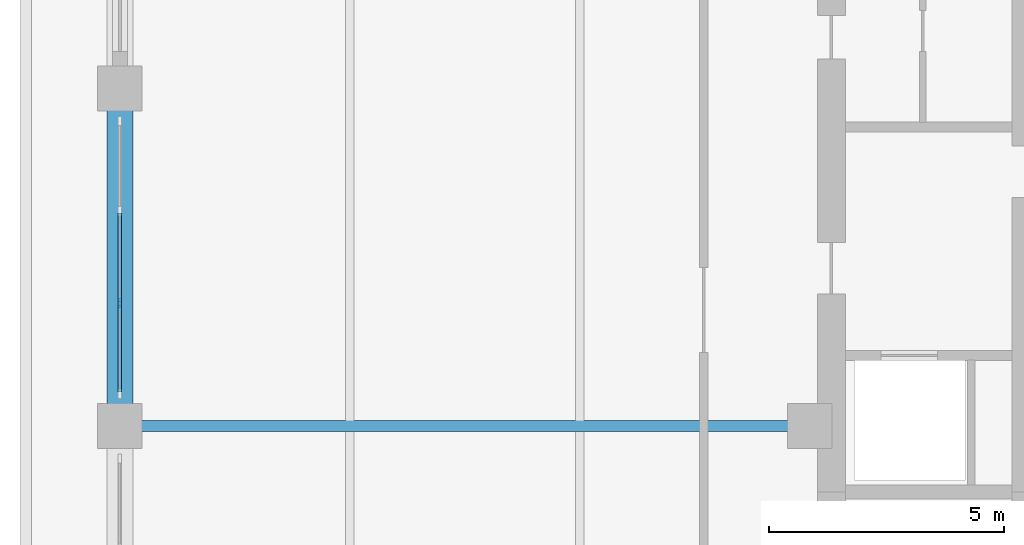
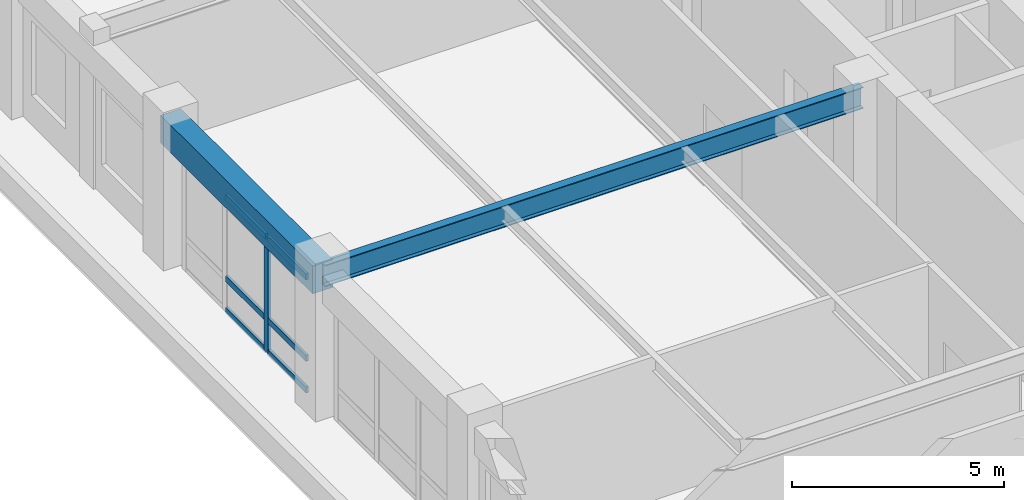
# One storey, part 3 of 16: 7 members, 2 beams, 1 element without a shape of its own.
"""IFC4 building model written with IfcOpenShell, lengths in metres."""

from ifc_helpers import new_model, si_unit, direction, frame, origin, origin_2d, place, context, subcontext, project, spatial, rectangle, i_section, extrude, material, layer, layer_set, material_profile, profile_set, type_object, element, aggregate, save


model = new_model("IFC4")

# Units and contexts
model_context = context("Model", 3, precision=1e-05, world=origin(), true_north=direction((0.0, 1.0)))
body_context = subcontext(model_context, "Body", "Model", "MODEL_VIEW")
ifc_project = project(units=[si_unit("LENGTHUNIT", "METRE"), si_unit("AREAUNIT", "SQUARE_METRE"), si_unit("VOLUMEUNIT", "CUBIC_METRE"), si_unit("PLANEANGLEUNIT", "RADIAN"), si_unit("MASSUNIT", "GRAM", prefix="KILO")], contexts=[model_context])

# Site, building, storey
site_placement = place(None, origin())
site = spatial("IfcSite", under=ifc_project, at=site_placement, CompositionType="ELEMENT")
building_placement = place(site_placement, origin())
building = spatial("IfcBuilding", under=site, at=building_placement, Name="Nhamokura Convention Tower", CompositionType="ELEMENT")
storey_placement = place(building_placement, frame((0.0, 0.0, 106.050048828125)))
storey = spatial("IfcBuildingStorey", under=building, at=storey_placement, Name="L25", CompositionType="ELEMENT", Elevation=106.050048828125)

# Curtain wall, members
ifc_material_1 = material(Name="Anodised bronze aluminium AA6063-T6", Category="aluminium")
ifc_layer = layer(ifc_material_1, 0.18994140625)
ifc_layer_set = layer_set([ifc_layer], Name="CWSystem_SkyLobby")
curtain_wall_type = type_object("IfcCurtainWallType", Name="CWSystem_SkyLobby", PredefinedType="NOTDEFINED", material=ifc_layer_set)
curtain_wall_placement = place(storey_placement, origin())
curtain_wall = element("IfcCurtainWall", 1, at=curtain_wall_placement, inside=storey, type_object=curtain_wall_type, Name="L25 Curtain Wall ENV-L25-CW-W3", PredefinedType="NOTDEFINED")
ifc_material_2 = material(Name="Anodised bronze aluminium AA6063-T6", Category="aluminium")
ifc_material_profile_1 = material_profile(ifc_material_2, rectangle(XDim=0.074951171875, YDim=0.199951171875, at=origin_2d()))
ifc_profile_set_1 = profile_set([ifc_material_profile_1], Name="Anodised bronze aluminium AA6063-T6")
member_type_1 = type_object("IfcMemberType", Name="CWMullion_2", PredefinedType="MULLION", material=ifc_profile_set_1)
member_1_placement = place(storey_placement, frame((6.0, 34.60546875, 0.0), z_axis=(0.0, 0.0, 1.0), x_axis=(-1.0, 0.0, 0.0)))
member_1 = element("IfcMember", 2, at=member_1_placement, type_object=member_type_1, Name="CW-06 mullion 2", PredefinedType="MULLION", context=body_context, shape_type="SweptSolid", body=[
    extrude(rectangle(XDim=0.074951171875, YDim=0.199951171875, at=origin_2d()), origin(), (0.0, 0.0, 1.0), 3.329833984375),
])
ifc_material_3 = material(Name="Anodised bronze aluminium AA6063-T6", Category="aluminium")
ifc_material_profile_2 = material_profile(ifc_material_3, rectangle(XDim=0.074951171875, YDim=0.169921875, at=origin_2d()))
ifc_profile_set_2 = profile_set([ifc_material_profile_2], Name="Anodised bronze aluminium AA6063-T6")
member_type_2 = type_object("IfcMemberType", Name="CWTransom_2", PredefinedType="USERDEFINED", material=ifc_profile_set_2)
member_2_placement = place(storey_placement, frame((6.0, 32.72509765625, 0.037353515625), z_axis=(0.0, 1.0, 0.0), x_axis=(-1.0, 0.0, 0.0)))
member_2 = element("IfcMember", 3, at=member_2_placement, type_object=member_type_2, Name="CW-06 transom 1.1", ObjectType="TRANSOM", PredefinedType="USERDEFINED", context=body_context, shape_type="SweptSolid", body=[
    extrude(rectangle(XDim=0.074951171875, YDim=0.169921875, at=origin_2d()), origin(), (0.0, 0.0, 1.0), 1.843017578125),
])
member_3_placement = place(storey_placement, frame((6.0, 32.72509765625, 0.949951171875), z_axis=(0.0, 1.0, 0.0), x_axis=(-1.0, 0.0, 0.0)))
member_3 = element("IfcMember", 4, at=member_3_placement, type_object=member_type_2, Name="CW-06 transom 1.2", ObjectType="TRANSOM", PredefinedType="USERDEFINED", context=body_context, shape_type="SweptSolid", body=[
    extrude(rectangle(XDim=0.074951171875, YDim=0.169921875, at=origin_2d()), origin(), (0.0, 0.0, 1.0), 1.843017578125),
])
member_4_placement = place(storey_placement, frame((6.0, 32.72509765625, 3.29248046875), z_axis=(0.0, 1.0, 0.0), x_axis=(-1.0, 0.0, 0.0)))
member_4 = element("IfcMember", 5, at=member_4_placement, type_object=member_type_2, Name="CW-06 transom 1.3", ObjectType="TRANSOM", PredefinedType="USERDEFINED", context=body_context, shape_type="SweptSolid", body=[
    extrude(rectangle(XDim=0.074951171875, YDim=0.169921875, at=origin_2d()), origin(), (0.0, 0.0, 1.0), 1.843017578125),
])
member_5_placement = place(storey_placement, frame((6.0, 34.64306640625, 0.037353515625), z_axis=(0.0, 1.0, 0.0), x_axis=(-1.0, 0.0, 0.0)))
member_5 = element("IfcMember", 6, at=member_5_placement, type_object=member_type_2, Name="CW-06 transom 2.1", ObjectType="TRANSOM", PredefinedType="USERDEFINED", context=body_context, shape_type="SweptSolid", body=[
    extrude(rectangle(XDim=0.074951171875, YDim=0.169921875, at=origin_2d()), origin(), (0.0, 0.0, 1.0), 1.880615234375),
])
member_6_placement = place(storey_placement, frame((6.0, 34.64306640625, 0.949951171875), z_axis=(0.0, 1.0, 0.0), x_axis=(-1.0, 0.0, 0.0)))
member_6 = element("IfcMember", 7, at=member_6_placement, type_object=member_type_2, Name="CW-06 transom 2.2", ObjectType="TRANSOM", PredefinedType="USERDEFINED", context=body_context, shape_type="SweptSolid", body=[
    extrude(rectangle(XDim=0.074951171875, YDim=0.169921875, at=origin_2d()), origin(), (0.0, 0.0, 1.0), 1.880615234375),
])
member_7_placement = place(storey_placement, frame((6.0, 34.64306640625, 3.29248046875), z_axis=(0.0, 1.0, 0.0), x_axis=(-1.0, 0.0, 0.0)))
member_7 = element("IfcMember", 8, at=member_7_placement, type_object=member_type_2, Name="CW-06 transom 2.3", ObjectType="TRANSOM", PredefinedType="USERDEFINED", context=body_context, shape_type="SweptSolid", body=[
    extrude(rectangle(XDim=0.074951171875, YDim=0.169921875, at=origin_2d()), origin(), (0.0, 0.0, 1.0), 1.880615234375),
])
aggregate(curtain_wall, [member_1, member_2, member_3, member_4, member_5, member_6, member_7])

# Beams
ifc_material_4 = material(Name="Steel ASTM A992 Gr 50", Category="steel")
ifc_material_profile_3 = material_profile(ifc_material_4, i_section(OverallWidth=0.22998046875, OverallDepth=0.616943359375, WebThickness=0.01318359375, FlangeThickness=0.022216796875, at=origin_2d()))
ifc_profile_set_3 = profile_set([ifc_material_profile_3], Name="Steel ASTM A992 Gr 50")
beam_type_1 = type_object("IfcBeamType", Name="PrimaryGirder_W610X140", PredefinedType="BEAM", material=ifc_profile_set_3)
beam_1_placement = place(storey_placement, frame((6.0, 32.0, 3.821533203125), z_axis=(1.0, 0.0, 0.0), x_axis=(0.0, 1.0, 0.0)))
element("IfcBeam", 9, at=beam_1_placement, inside=storey, type_object=beam_type_1, Name="L25 Primary Floor Girder PG-W2", PredefinedType="BEAM", context=body_context, shape_type="SweptSolid", body=[
    extrude(i_section(OverallWidth=0.22998046875, OverallDepth=0.616943359375, WebThickness=0.01318359375, FlangeThickness=0.022216796875, at=origin_2d()), origin(), (0.0, 0.0, 1.0), 14.64990234375),
])
ifc_material_5 = material(Name="Concrete C50/60", Category="concrete")
ifc_material_profile_4 = material_profile(ifc_material_5, rectangle(XDim=0.550048828125, YDim=0.800048828125, at=origin_2d()))
ifc_profile_set_4 = profile_set([ifc_material_profile_4], Name="Concrete C50/60")
beam_type_2 = type_object("IfcBeamType", Name="TubeSpandrel_800", PredefinedType="SPANDREL", material=ifc_profile_set_4)
beam_2_placement = place(storey_placement, frame((6.0, 32.0, 3.72998046875), z_axis=(0.0, 1.0, 0.0), x_axis=(-1.0, 0.0, 0.0)))
element("IfcBeam", 10, at=beam_2_placement, inside=storey, type_object=beam_type_2, Name="L25 Perimeter Spandrel WEST 4", PredefinedType="SPANDREL", context=body_context, shape_type="SweptSolid", body=[
    extrude(rectangle(XDim=0.550048828125, YDim=0.800048828125, at=origin_2d()), origin(), (0.0, 0.0, 1.0), 7.166748046875),
])

save(model, "model.ifc")
